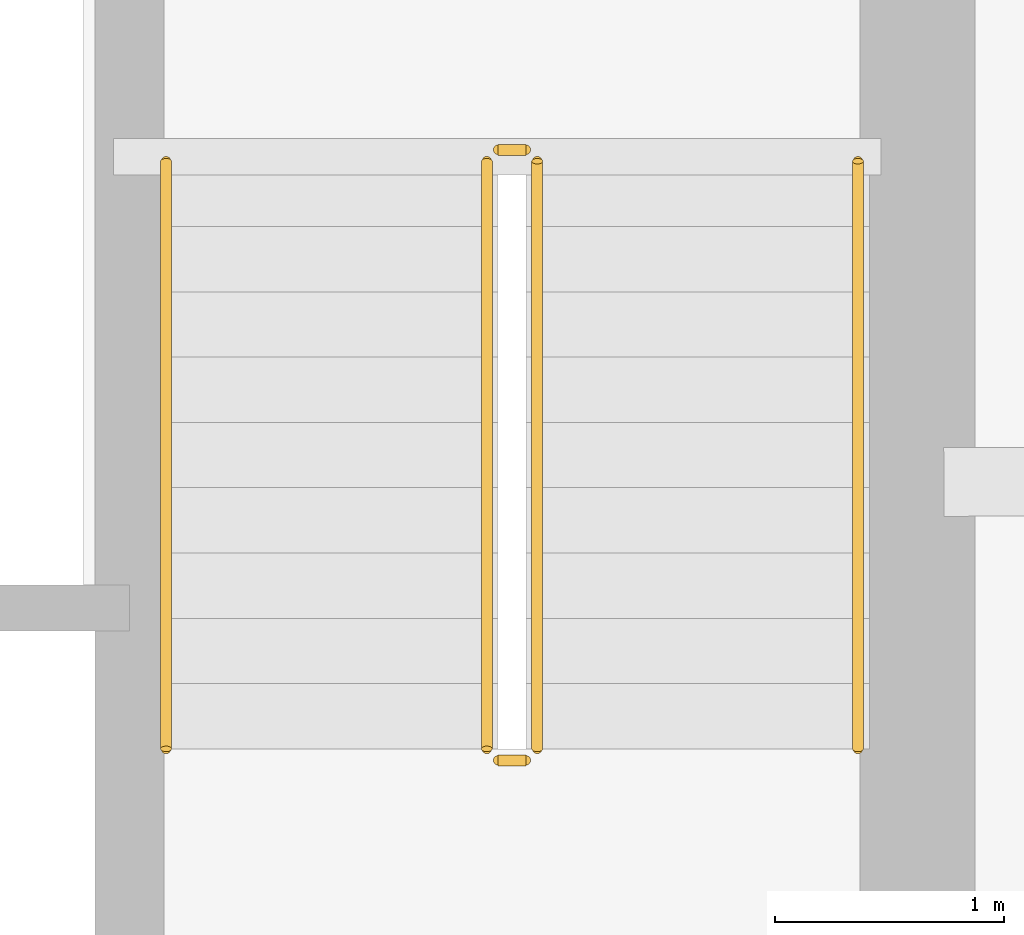
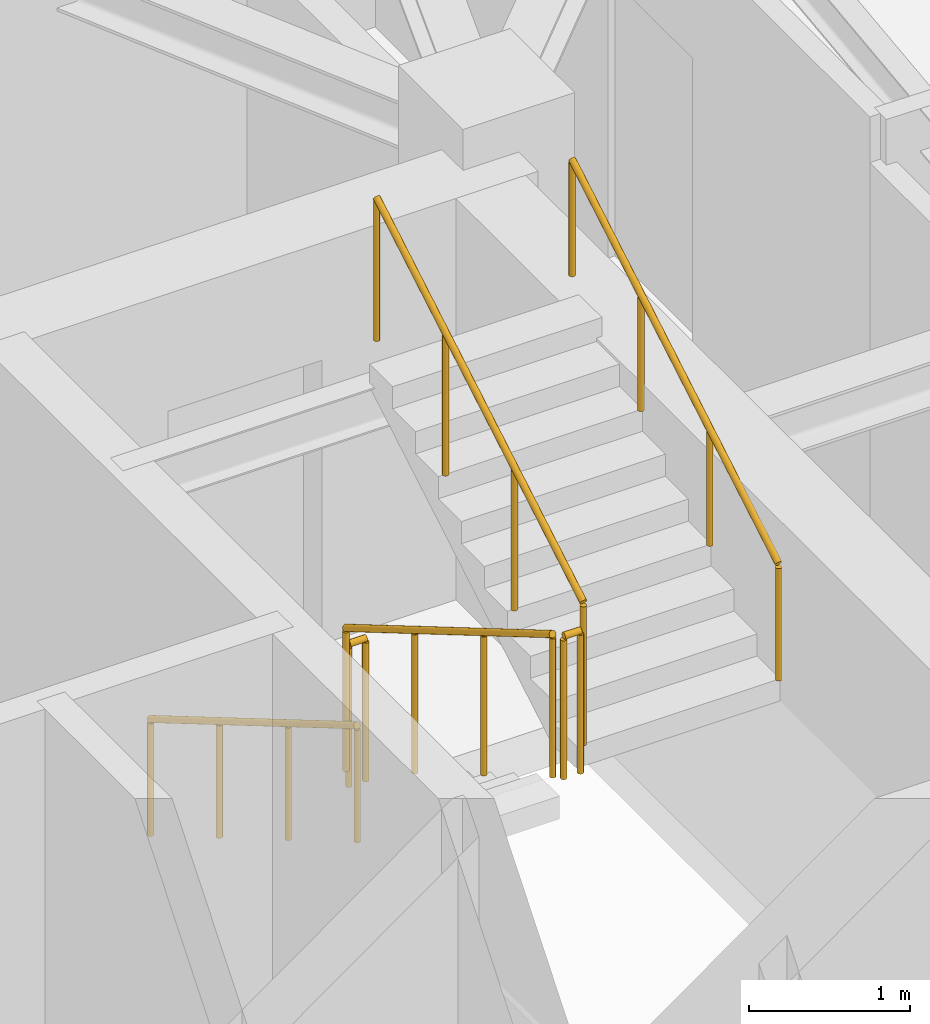
# One storey, part 11 of 11: 6 railings.
"""IFC4 building model written with IfcOpenShell, lengths in metres."""

from ifc_helpers import new_model, si_unit, direction, frame, origin, origin_2d, place, context, subcontext, project, spatial, circle, extrude, material, type_object, element, save


model = new_model("IFC4")

# Units and contexts
model_context = context("Model", 3, precision=1e-05, world=origin(), true_north=direction((0.0, 1.0)))
body_context = subcontext(model_context, "Body", "Model", "MODEL_VIEW")
ifc_project = project(units=[si_unit("LENGTHUNIT", "METRE"), si_unit("AREAUNIT", "SQUARE_METRE"), si_unit("VOLUMEUNIT", "CUBIC_METRE"), si_unit("PLANEANGLEUNIT", "RADIAN"), si_unit("MASSUNIT", "GRAM", prefix="KILO")], contexts=[model_context])

# Site, building, storey
site_placement = place(None, origin())
site = spatial("IfcSite", under=ifc_project, at=site_placement, CompositionType="ELEMENT")
building_placement = place(site_placement, origin())
building = spatial("IfcBuilding", under=site, at=building_placement, Name="Qobustan Lattice House", CompositionType="ELEMENT")
storey_placement = place(building_placement, frame((0.0, 0.0, 193.050048828125)))
storey = spatial("IfcBuildingStorey", under=building, at=storey_placement, Name="L54", CompositionType="ELEMENT", Elevation=193.050048828125)

# Railings
ifc_material_1 = material(Name="Brushed stainless steel handrail", Category="steel")
railing_type_1 = type_object("IfcRailingType", Name="RAL-HR-920", PredefinedType="HANDRAIL", material=ifc_material_1)
railing_1_placement = place(storey_placement, frame((15.179931640625, 3.5, 0.16748046875)))
element("IfcRailing", 1, at=railing_1_placement, inside=storey, type_object=railing_type_1, Name="L54 ST-E1 stair handrail 1", PredefinedType="HANDRAIL", context=body_context, shape_type="SweptSolid", body=[
    extrude(circle(Radius=0.02392578125, at=origin_2d()), frame((0.0, 0.0, 0.8759765625), z_axis=(0.0, -0.862113467892, 0.50671527358), x_axis=(1.0, 0.0, 0.0)), (0.0, 0.0, 1.0), 2.97509765625),
    extrude(circle(Radius=0.02099609375, at=origin_2d()), origin(), (0.0, 0.0, 1.0), 0.851806640625),
    extrude(circle(Radius=0.02099609375, at=origin_2d()), frame((0.0, -0.85498046875, 0.50244140625)), (0.0, 0.0, 1.0), 0.851806640625),
    extrude(circle(Radius=0.02099609375, at=origin_2d()), frame((0.0, -1.7099609375, 1.005126953125)), (0.0, 0.0, 1.0), 0.851806640625),
    extrude(circle(Radius=0.02099609375, at=origin_2d()), frame((0.0, -2.56494140625, 1.507568359375)), (0.0, 0.0, 1.0), 0.851806640625),
])
railing_2_placement = place(storey_placement, frame((18.199951171875, 0.93505859375, 1.842529296875)))
element("IfcRailing", 2, at=railing_2_placement, inside=storey, type_object=railing_type_1, Name="L54 ST-E1 stair handrail 2", PredefinedType="HANDRAIL", context=body_context, shape_type="SweptSolid", body=[
    extrude(circle(Radius=0.02392578125, at=origin_2d()), frame((0.0, 0.0, 0.8759765625), z_axis=(0.0, 0.862149314443, 0.506654280161), x_axis=(-1.0, 0.0, 0.0)), (0.0, 0.0, 1.0), 2.97509765625),
    extrude(circle(Radius=0.02099609375, at=origin_2d()), origin(), (0.0, 0.0, 1.0), 0.851806640625),
    extrude(circle(Radius=0.02099609375, at=origin_2d()), frame((0.0, 0.85498046875, 0.50244140625)), (0.0, 0.0, 1.0), 0.851806640625),
    extrude(circle(Radius=0.02099609375, at=origin_2d()), frame((0.0, 1.7099609375, 1.0048828125)), (0.0, 0.0, 1.0), 0.851806640625),
    extrude(circle(Radius=0.02099609375, at=origin_2d()), frame((0.0, 2.56494140625, 1.50732421875)), (0.0, 0.0, 1.0), 0.851806640625),
])
ifc_material_2 = material(Name="Painted galvanized steel guardrail", Category="steel")
railing_type_2 = type_object("IfcRailingType", Name="RAL-STG-1150", PredefinedType="GUARDRAIL", material=ifc_material_2)
railing_3_placement = place(storey_placement, frame((16.580078125, 3.5, 0.16748046875)))
element("IfcRailing", 3, at=railing_3_placement, inside=storey, type_object=railing_type_2, Name="L54 ST-E1 stair guard 1", PredefinedType="GUARDRAIL", context=body_context, shape_type="SweptSolid", body=[
    extrude(circle(Radius=0.02392578125, at=origin_2d()), frame((0.0, 0.0, 1.076171875), z_axis=(0.0, -0.862113467892, 0.50671527358), x_axis=(1.0, 0.0, 0.0)), (0.0, 0.0, 1.0), 2.97509765625),
    extrude(circle(Radius=0.02099609375, at=origin_2d()), origin(), (0.0, 0.0, 1.0), 1.052001953125),
    extrude(circle(Radius=0.02099609375, at=origin_2d()), frame((0.0, -0.85498046875, 0.50244140625)), (0.0, 0.0, 1.0), 1.052001953125),
    extrude(circle(Radius=0.02099609375, at=origin_2d()), frame((0.0, -1.7099609375, 1.005126953125)), (0.0, 0.0, 1.0), 1.052001953125),
    extrude(circle(Radius=0.02099609375, at=origin_2d()), frame((0.0, -2.56494140625, 1.507568359375)), (0.0, 0.0, 1.0), 1.052001953125),
])
railing_4_placement = place(storey_placement, frame((16.6298828125, 0.885009765625, 1.675048828125)))
element("IfcRailing", 4, at=railing_4_placement, inside=storey, type_object=railing_type_2, Name="L54 ST-E1 stair guard 2", PredefinedType="GUARDRAIL", context=body_context, shape_type="SweptSolid", body=[
    extrude(circle(Radius=0.02392578125, at=origin_2d()), frame((0.0, 0.0, 1.076171875), z_axis=(1.0, 0.0, 0.0), x_axis=(0.0, 1.0, 0.0)), (0.0, 0.0, 1.0), 0.1201171875),
    extrude(circle(Radius=0.02099609375, at=origin_2d()), origin(), (0.0, 0.0, 1.0), 1.052001953125),
    extrude(circle(Radius=0.02099609375, at=origin_2d()), frame((0.1201171875, 0.0, 0.0)), (0.0, 0.0, 1.0), 1.052001953125),
])
railing_5_placement = place(storey_placement, frame((16.800048828125, 0.93505859375, 1.842529296875)))
element("IfcRailing", 5, at=railing_5_placement, inside=storey, type_object=railing_type_2, Name="L54 ST-E1 stair guard 3", PredefinedType="GUARDRAIL", context=body_context, shape_type="SweptSolid", body=[
    extrude(circle(Radius=0.02392578125, at=origin_2d()), frame((0.0, 0.0, 1.076171875), z_axis=(0.0, 0.862149314443, 0.506654280161), x_axis=(-1.0, 0.0, 0.0)), (0.0, 0.0, 1.0), 2.97509765625),
    extrude(circle(Radius=0.02099609375, at=origin_2d()), origin(), (0.0, 0.0, 1.0), 1.052001953125),
    extrude(circle(Radius=0.02099609375, at=origin_2d()), frame((0.0, 0.85498046875, 0.50244140625)), (0.0, 0.0, 1.0), 1.052001953125),
    extrude(circle(Radius=0.02099609375, at=origin_2d()), frame((0.0, 1.7099609375, 1.0048828125)), (0.0, 0.0, 1.0), 1.052001953125),
    extrude(circle(Radius=0.02099609375, at=origin_2d()), frame((0.0, 2.56494140625, 1.50732421875)), (0.0, 0.0, 1.0), 1.052001953125),
])
railing_6_placement = place(storey_placement, frame((16.6298828125, 3.550048828125, 0.0)))
element("IfcRailing", 6, at=railing_6_placement, inside=storey, type_object=railing_type_2, Name="L54 ST-E1 stair guard 4", PredefinedType="GUARDRAIL", context=body_context, shape_type="SweptSolid", body=[
    extrude(circle(Radius=0.02392578125, at=origin_2d()), frame((0.0, 0.0, 1.076171875), z_axis=(1.0, 0.0, 0.0), x_axis=(0.0, 1.0, 0.0)), (0.0, 0.0, 1.0), 0.1201171875),
    extrude(circle(Radius=0.02099609375, at=origin_2d()), origin(), (0.0, 0.0, 1.0), 1.052001953125),
    extrude(circle(Radius=0.02099609375, at=origin_2d()), frame((0.1201171875, 0.0, 0.0)), (0.0, 0.0, 1.0), 1.052001953125),
])

save(model, "model.ifc")
